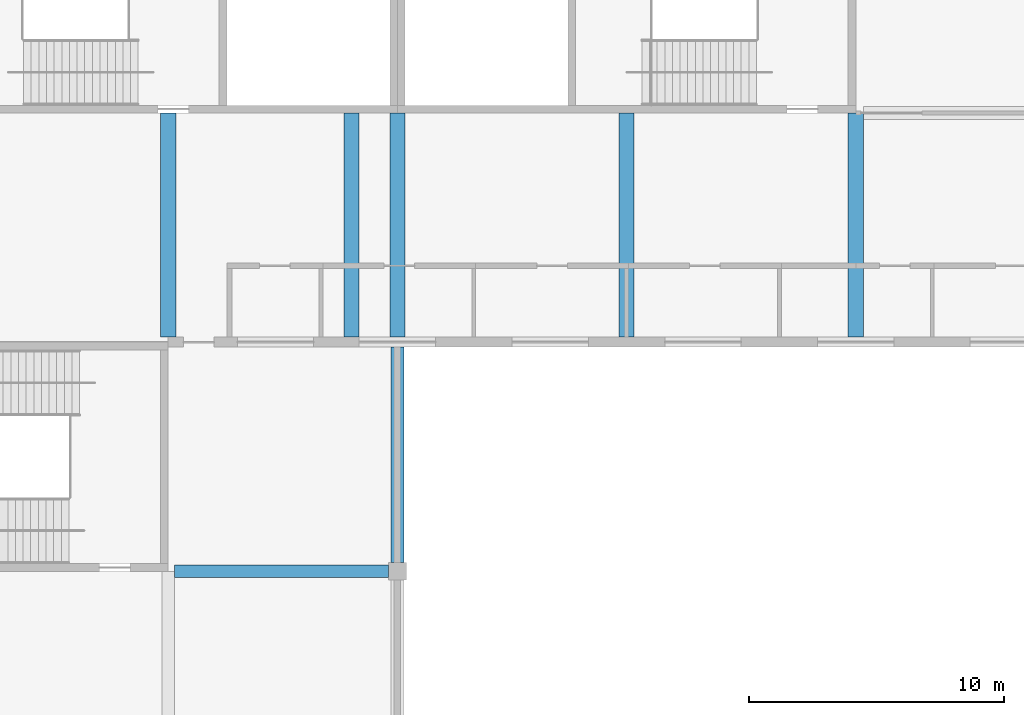
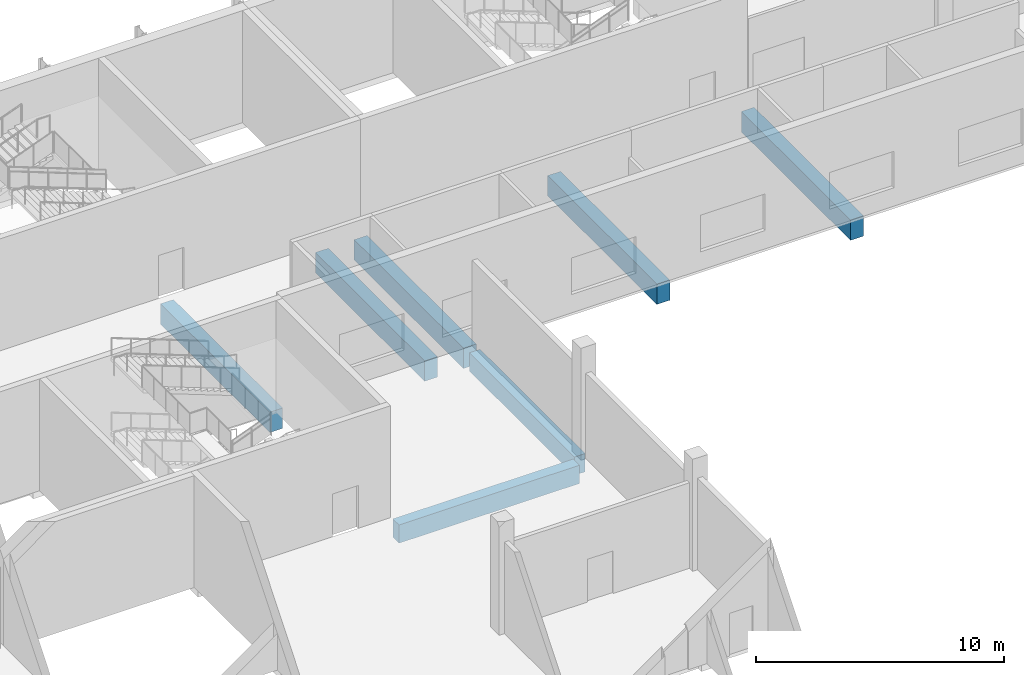
# One storey, part 15 of 84: 7 beams.
"""IFC4 building model written with IfcOpenShell, lengths in metres."""

from ifc_helpers import new_model, si_unit, direction, frame, origin, origin_2d, place, context, subcontext, project, spatial, rectangle, extrude, material, material_profile, profile_set, type_object, element, save


model = new_model("IFC4")

# Units and contexts
model_context = context("Model", 3, precision=1e-05, world=origin(), true_north=direction((0.0, 1.0)))
body_context = subcontext(model_context, "Body", "Model", "MODEL_VIEW")
ifc_project = project(units=[si_unit("LENGTHUNIT", "METRE"), si_unit("AREAUNIT", "SQUARE_METRE"), si_unit("VOLUMEUNIT", "CUBIC_METRE"), si_unit("PLANEANGLEUNIT", "RADIAN"), si_unit("MASSUNIT", "GRAM", prefix="KILO")], contexts=[model_context])

# Site, building, storey
site_placement = place(None, origin())
site = spatial("IfcSite", under=ifc_project, at=site_placement, CompositionType="ELEMENT")
building_placement = place(site_placement, origin())
building = spatial("IfcBuilding", under=site, at=building_placement, Name="Silverbay Arena", CompositionType="ELEMENT")
storey_placement = place(building_placement, frame((0.0, 0.0, 28.0)))
storey = spatial("IfcBuildingStorey", under=building, at=storey_placement, Name="L04", CompositionType="ELEMENT", Elevation=28.0)

# Beams
ifc_material_1 = material(Name="Concrete Grade C45", Category="concrete")
ifc_material_profile_1 = material_profile(ifc_material_1, rectangle(XDim=0.5, YDim=0.89990234375, at=origin_2d()), Name="RC 500x900")
ifc_profile_set_1 = profile_set([ifc_material_profile_1], Name="Concrete Grade C45")
beam_type_1 = type_object("IfcBeamType", Name="RC beam 500x900", PredefinedType="BEAM", material=ifc_profile_set_1)
beam_1_placement = place(storey_placement, frame((90.25, 117.0, -0.75), z_axis=(1.0, 0.0, 0.0), x_axis=(0.0, 1.0, 0.0)))
element("IfcBeam", 1, at=beam_1_placement, inside=storey, type_object=beam_type_1, Name="Floor beam L04 059", PredefinedType="BEAM", context=body_context, shape_type="SweptSolid", body=[
    extrude(rectangle(XDim=0.5, YDim=0.89990234375, at=origin_2d()), origin(), (0.0, 0.0, 1.0), 8.39990234375),
])
beam_2_placement = place(storey_placement, frame((99.0, 117.35009765625, -0.75), z_axis=(0.0, 1.0, 0.0), x_axis=(-1.0, 0.0, 0.0)))
element("IfcBeam", 2, at=beam_2_placement, inside=storey, type_object=beam_type_1, Name="Floor beam L04 109", PredefinedType="BEAM", context=body_context, shape_type="SweptSolid", body=[
    extrude(rectangle(XDim=0.5, YDim=0.89990234375, at=origin_2d()), origin(), (0.0, 0.0, 1.0), 8.449951171875),
])
ifc_material_2 = material(Name="Concrete Grade C45", Category="concrete")
ifc_material_profile_2 = material_profile(ifc_material_2, rectangle(XDim=0.60009765625, YDim=1.0, at=origin_2d()), Name="RC 600x1000")
ifc_profile_set_2 = profile_set([ifc_material_profile_2], Name="Concrete Grade C45")
beam_type_2 = type_object("IfcBeamType", Name="RC beam 600x1000", PredefinedType="BEAM", material=ifc_profile_set_2)
for number, where, z_axis, x_axis, name in (
    (3, (90.0, 126.199951171875, -0.800048828125), (0.0, 1.0, 0.0), (-1.0, 0.0, 0.0), "Floor beam L04 100"),
    (4, (97.199951171875, 126.199951171875, -0.800048828125), (0.0, 1.0, 0.0), (-1.0, 0.0, 0.0), "Floor beam L04 102"),
    (5, (99.0, 126.199951171875, -0.800048828125), (0.0, 1.0, 0.0), (-1.0, 0.0, 0.0), "Floor beam L04 110"),
    (6, (108.0, 126.199951171875, -0.800048828125), (0.0, 1.0, 0.0), (-1.0, 0.0, 0.0), "Floor beam L04 112"),
    (7, (117.0, 126.199951171875, -0.800048828125), (0.0, 1.0, 0.0), (-1.0, 0.0, 0.0), "Floor beam L04 114"),
):
    element("IfcBeam", number, at=place(storey_placement, frame(where, z_axis=z_axis, x_axis=x_axis)), inside=storey, type_object=beam_type_2, Name=name, PredefinedType="BEAM", context=body_context, shape_type="SweptSolid", body=[
        extrude(rectangle(XDim=0.60009765625, YDim=1.0, at=origin_2d()), origin(), (0.0, 0.0, 1.0), 8.800048828125),
    ])

save(model, "model.ifc")
